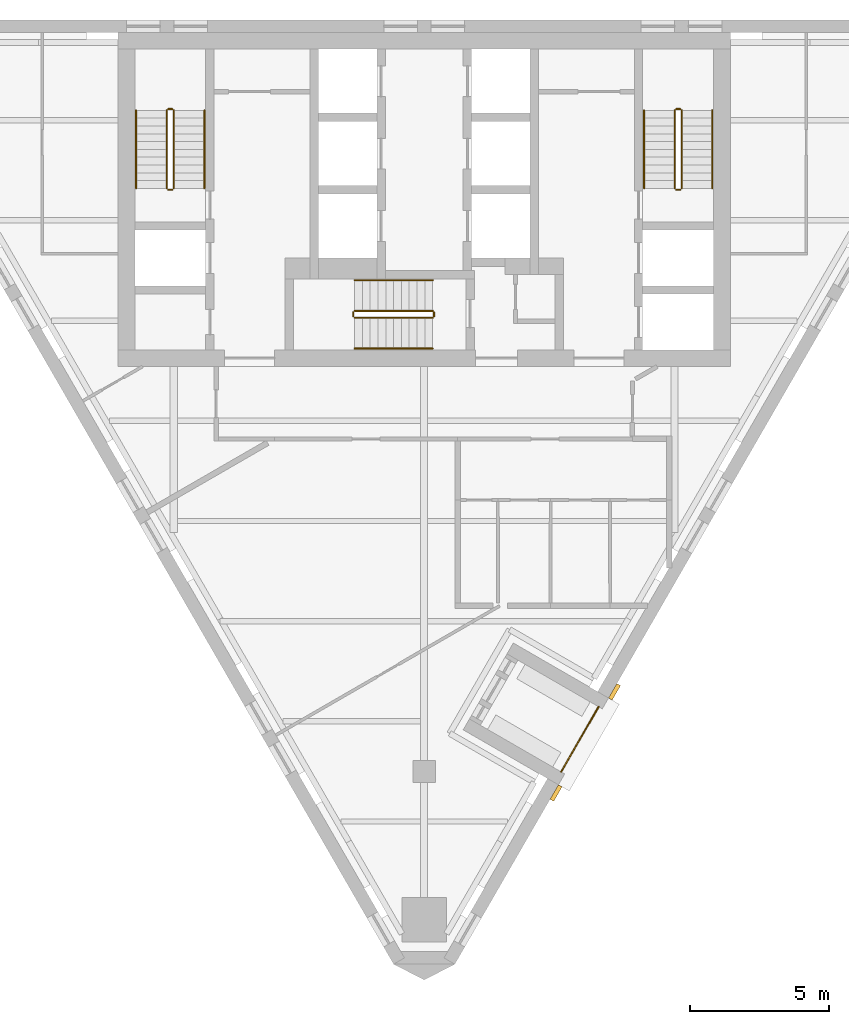
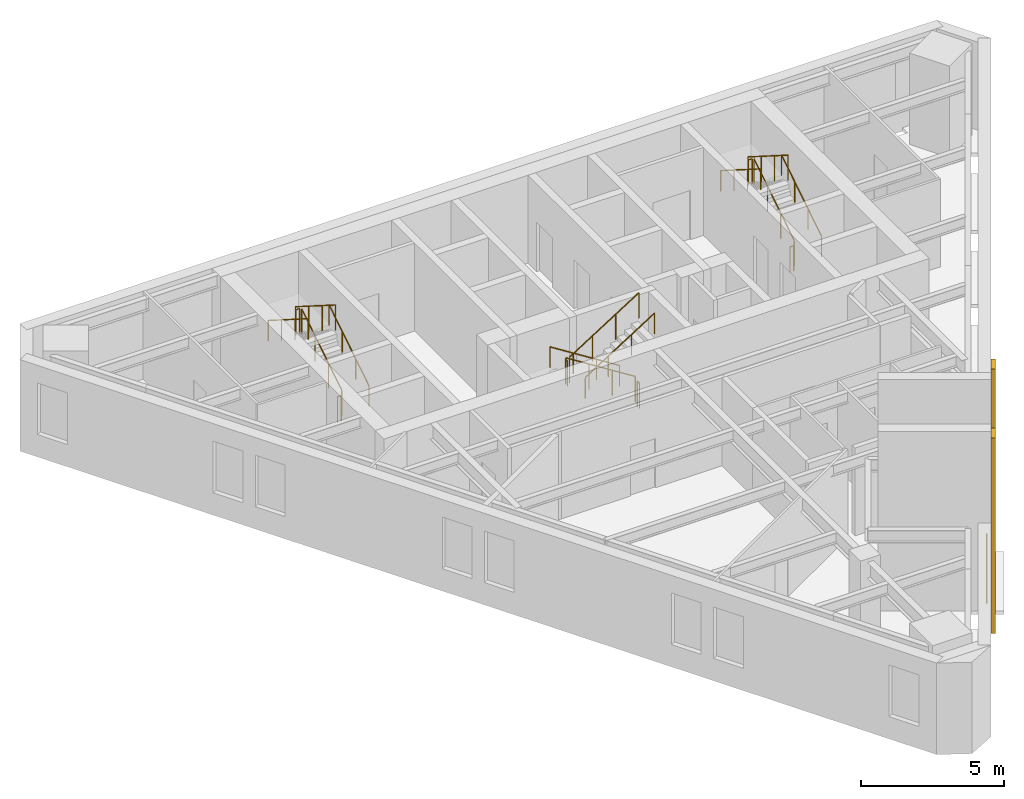
# One storey, part 6 of 6: 19 railings, 2 coverings.
"""IFC4 building model written with IfcOpenShell, lengths in metres."""

import ifcopenshell
import ifcopenshell.guid

model = None  # the IFC model being written
_history = None  # IfcOwnerHistory: only IFC2X3 demands one
_inside = {}  # id of a spatial element -> (the spatial element, [elements in it])
_under = {}  # id of a project, library or spatial element -> (it, [spatial elements below it])
_declared = {}  # id of a project -> (the project, [libraries it declares])
_typed = {}  # id of a type object -> (the type object, [elements of that type])
_made_of = {}  # id of a material, layer set ... -> (it, [elements and type objects made of it])


def new_model(schema):
    """Start an empty IFC model of exactly this schema.

    Asked for "IFC4X3", IfcOpenShell would pick the latest addendum, in which some entities
    have other attributes; the version numbers below select the first issue.
    IFC2X3 requires an IfcOwnerHistory on every rooted entity: one is made here for all.
    """
    global model, _history
    if schema == "IFC4X3":
        model = ifcopenshell.file(schema_version=(4, 3, 0, 0))
    else:
        model = ifcopenshell.file(schema=schema)
    _inside.clear()
    _under.clear()
    _declared.clear()
    _typed.clear()
    _made_of.clear()
    _history = None
    if model.schema == "IFC2X3":
        org = make("IfcOrganization", Name="unknown")
        user = make(
            "IfcPersonAndOrganization",
            ThePerson=make("IfcPerson", FamilyName="unknown"),
            TheOrganization=org,
        )
        app = make(
            "IfcApplication",
            ApplicationDeveloper=org,
            Version="unknown",
            ApplicationFullName="unknown",
            ApplicationIdentifier="unknown",
        )
        _history = make(
            "IfcOwnerHistory",
            OwningUser=user,
            OwningApplication=app,
            ChangeAction="ADDED",
            CreationDate=0,
        )
    return model


def make(cls, **values):
    """One entity of the class cls with the attributes given. An attribute that is None is left unset."""
    return model.create_entity(
        cls, **{name: value for name, value in values.items() if value is not None}
    )


def rooted(cls, **values):
    """An entity with a GlobalId (a new one), such as an element, a storey or a relation."""
    return make(cls, GlobalId=ifcopenshell.guid.new(), OwnerHistory=_history, **values)


def si_unit(unit_type, name, prefix=None):
    """IfcSIUnit, for example si_unit("LENGTHUNIT", "METRE", prefix="MILLI")."""
    return make("IfcSIUnit", UnitType=unit_type, Prefix=prefix, Name=name)


def assignment(units):
    """IfcUnitAssignment: the units of a project."""
    return None if units is None else make("IfcUnitAssignment", Units=units)


def point(xyz):
    """IfcCartesianPoint."""
    return None if xyz is None else make("IfcCartesianPoint", Coordinates=xyz)


def direction(xyz):
    """IfcDirection."""
    return None if xyz is None else make("IfcDirection", DirectionRatios=xyz)


def frame(location, z_axis=None, x_axis=None):
    """IfcAxis2Placement3D, a coordinate frame: its origin and axes. An axis left out is left unset."""
    return make(
        "IfcAxis2Placement3D",
        Location=point(location),
        Axis=direction(z_axis),
        RefDirection=direction(x_axis),
    )


def frame_2d(location, x_axis=None):
    """IfcAxis2Placement2D, a coordinate frame in the plane: its origin and x axis."""
    return make(
        "IfcAxis2Placement2D", Location=point(location), RefDirection=direction(x_axis)
    )


def origin():
    """The frame at (0, 0, 0) with its axes left unset."""
    return frame((0.0, 0.0, 0.0))


def origin_2d():
    """The frame at (0, 0) in the plane with its x axis left unset."""
    return frame_2d((0.0, 0.0))


def place(relative_to, where):
    """IfcLocalPlacement: puts the frame where relative to a parent placement (None: the world)."""
    return make(
        "IfcLocalPlacement", PlacementRelTo=relative_to, RelativePlacement=where
    )


def context(
    kind, dimensions, precision=None, world=None, true_north=None, identifier=None
):
    """IfcGeometricRepresentationContext, for example the 3D "Model" context."""
    return make(
        "IfcGeometricRepresentationContext",
        ContextIdentifier=identifier,
        ContextType=kind,
        CoordinateSpaceDimension=dimensions,
        Precision=precision,
        WorldCoordinateSystem=world,
        TrueNorth=true_north,
    )


def subcontext(parent, identifier, kind, view, scale=None):
    """IfcGeometricRepresentationSubContext, for example "Body" below "Model"."""
    return make(
        "IfcGeometricRepresentationSubContext",
        ContextIdentifier=identifier,
        ContextType=kind,
        ParentContext=parent,
        TargetScale=scale,
        TargetView=view,
    )


def project(units=None, contexts=None):
    """IfcProject with its units and contexts."""
    return rooted(
        "IfcProject",
        Name="project",
        RepresentationContexts=contexts,
        UnitsInContext=assignment(units),
    )


def spatial(cls, under=None, at=None, **own):
    """A site, building, storey or space (cls), placed at a placement, below another one or the project."""
    s = rooted(cls, ObjectPlacement=at, **own)
    if under is not None:
        _under.setdefault(under.id(), (under, []))[1].append(s)
    return s


def polyline(points):
    """IfcPolyline through the points."""
    return make("IfcPolyline", Points=[point(p) for p in points])


def profile(cls, at=None, kind="AREA", **sizes):
    """A parametric profile (cls). Its sizes go by their IFC names, for example OverallWidth=200.0."""
    return make(cls, ProfileType=kind, Position=at, **sizes)


def circle(**sizes):
    """IfcCircleProfileDef."""
    return profile("IfcCircleProfileDef", **sizes)


def outline(outer, holes=None, kind="AREA"):
    """IfcArbitraryClosedProfileDef: a profile drawn as a closed curve; with holes, ...WithVoids."""
    if holes is None:
        return make("IfcArbitraryClosedProfileDef", ProfileType=kind, OuterCurve=outer)
    return make(
        "IfcArbitraryProfileDefWithVoids",
        ProfileType=kind,
        OuterCurve=outer,
        InnerCurves=holes,
    )


def extrude(swept, where, along, depth):
    """IfcExtrudedAreaSolid: the profile swept, set in the frame where, extruded along a direction by depth."""
    return make(
        "IfcExtrudedAreaSolid",
        SweptArea=swept,
        Position=where,
        ExtrudedDirection=direction(along),
        Depth=depth,
    )


def shape(context_of_items, identifier, shape_type, items):
    """IfcShapeRepresentation: the items that make up one representation, for example the "Body"."""
    return make(
        "IfcShapeRepresentation",
        ContextOfItems=context_of_items,
        RepresentationIdentifier=identifier,
        RepresentationType=shape_type,
        Items=items,
    )


def material(Name=None, Category=None):
    """IfcMaterial."""
    return make("IfcMaterial", Name=Name, Category=Category)


def layer(
    of_material, thickness, ventilated=None, Name=None, Category=None, Priority=None
):
    """IfcMaterialLayer: one layer of a wall or slab, of a material (None: an air gap)."""
    return make(
        "IfcMaterialLayer",
        Material=of_material,
        LayerThickness=thickness,
        IsVentilated=ventilated,
        Name=Name,
        Category=Category,
        Priority=Priority,
    )


def layer_set(layers, Name=None):
    """IfcMaterialLayerSet."""
    return make("IfcMaterialLayerSet", MaterialLayers=layers, LayerSetName=Name)


def made_of(thing, what):
    """Note that an element or type object is made of a material, layer set ...; save() writes the relation."""
    if what is not None:
        _made_of.setdefault(what.id(), (what, []))[1].append(thing)
    return thing


def type_object(cls, material=None, **own):
    """A type object (cls), such as IfcWallType, which elements share."""
    return made_of(rooted(cls, **own), material)


def element(
    cls,
    number,
    at=None,
    inside=None,
    cuts=None,
    type_object=None,
    material=None,
    context=None,
    identifier="Body",
    shape_type=None,
    held_by="IfcProductDefinitionShape",
    body=None,
    shapes=None,
    **own,
):
    """One element of the class cls, such as IfcWall. Its Tag is "e" and its number.

    at: its placement. inside: the storey or other place that contains it. cuts: it is an
    opening in that element (IfcRelVoidsElement). A single representation is given by context,
    identifier, shape_type and body (its items); several are given by shapes. held_by: the class
    of the entity that holds the representations. save() writes the other relations.
    """
    e = rooted(cls, Tag="e%d" % number, ObjectPlacement=at, **own)
    if body is not None:
        shapes = [shape(context, identifier, shape_type, body)]
    if shapes is not None:
        e.Representation = make(held_by, Representations=shapes)
    if inside is not None:
        _inside.setdefault(inside.id(), (inside, []))[1].append(e)
    if cuts is not None:
        rooted(
            "IfcRelVoidsElement", RelatingBuildingElement=cuts, RelatedOpeningElement=e
        )
    if type_object is not None:
        _typed.setdefault(type_object.id(), (type_object, []))[1].append(e)
    return made_of(e, material)


def aggregate(whole, parts):
    """IfcRelAggregates: a whole, such as a stair, and the parts it consists of."""
    return rooted("IfcRelAggregates", RelatingObject=whole, RelatedObjects=parts)


def save(model, path):
    """Write the relations noted so far, then the file.

    IfcRelAggregates (storeys below a building ...), IfcRelContainedInSpatialStructure (elements
    in a storey), IfcRelDefinesByType, IfcRelAssociatesMaterial and IfcRelDeclares: one each for
    every whole, place, type object, material and project.
    """
    for whole, parts in _under.values():
        aggregate(whole, parts)
    for where, things in _inside.values():
        rooted(
            "IfcRelContainedInSpatialStructure",
            RelatedElements=things,
            RelatingStructure=where,
        )
    for kind, things in _typed.values():
        rooted("IfcRelDefinesByType", RelatedObjects=things, RelatingType=kind)
    for what, things in _made_of.values():
        rooted("IfcRelAssociatesMaterial", RelatedObjects=things, RelatingMaterial=what)
    for by, libraries in _declared.values():
        rooted("IfcRelDeclares", RelatingContext=by, RelatedDefinitions=libraries)
    model.write(path)


model = new_model("IFC4")

# Units and contexts
model_context = context("Model", 3, precision=1e-05, world=origin(), true_north=direction((0.0, 1.0)))
body_context = subcontext(model_context, "Body", "Model", "MODEL_VIEW")
ifc_project = project(units=[si_unit("LENGTHUNIT", "METRE"), si_unit("AREAUNIT", "SQUARE_METRE"), si_unit("VOLUMEUNIT", "CUBIC_METRE"), si_unit("PLANEANGLEUNIT", "RADIAN"), si_unit("MASSUNIT", "GRAM", prefix="KILO")], contexts=[model_context])

# Site, building, storey
site_placement = place(None, origin())
site = spatial("IfcSite", under=ifc_project, at=site_placement, CompositionType="ELEMENT")
building_placement = place(site_placement, origin())
building = spatial("IfcBuilding", under=site, at=building_placement, Name="Aloe Facet Convention Tower", CompositionType="ELEMENT")
storey_placement = place(building_placement, frame((0.0, 0.0, 273.800048828125)))
storey = spatial("IfcBuildingStorey", under=building, at=storey_placement, Name="L67", CompositionType="ELEMENT", Elevation=273.800048828125)

# Railings
ifc_material_1 = material(Name="Steel S355 balustrade", Category="steel")
railing_type_1 = type_object("IfcRailingType", Name="CR-RL-GUARD", PredefinedType="GUARDRAIL", material=ifc_material_1)
railing_1_placement = place(storey_placement, frame((71.0, 128.949951171875, 0.17724609375)))
element("IfcRailing", 1, at=railing_1_placement, inside=storey, type_object=railing_type_1, Name="L67 ST1 stair guard 1", PredefinedType="GUARDRAIL", context=body_context, shape_type="SweptSolid", body=[
    extrude(circle(Radius=0.02392578125, at=origin_2d()), frame((0.0, 0.0, 1.076171875), z_axis=(0.0, 0.844908973607, 0.534910110503), x_axis=(-1.0, 0.0, 0.0)), (0.0, 0.0, 1.0), 3.31396484375),
    extrude(circle(Radius=0.02099609375, at=origin_2d()), origin(), (0.0, 0.0, 1.0), 1.052001953125),
    extrude(circle(Radius=0.02099609375, at=origin_2d()), frame((0.0, 0.933349609375, 0.5908203125)), (0.0, 0.0, 1.0), 1.052001953125),
    extrude(circle(Radius=0.02099609375, at=origin_2d()), frame((0.0, 1.86669921875, 1.181884765625)), (0.0, 0.0, 1.0), 1.052001953125),
    extrude(circle(Radius=0.02099609375, at=origin_2d()), frame((0.0, 2.800048828125, 1.772705078125)), (0.0, 0.0, 1.0), 1.052001953125),
])
railing_2_placement = place(storey_placement, frame((70.949951171875, 131.800048828125, 1.949951171875)))
element("IfcRailing", 2, at=railing_2_placement, inside=storey, type_object=railing_type_1, Name="L67 ST1 stair guard 2", PredefinedType="GUARDRAIL", context=body_context, shape_type="SweptSolid", body=[
    extrude(circle(Radius=0.02392578125, at=origin_2d()), frame((0.0, 0.0, 1.076171875), z_axis=(-1.0, 0.0, 0.0), x_axis=(0.0, -1.0, 0.0)), (0.0, 0.0, 1.0), 0.14990234375),
    extrude(circle(Radius=0.02099609375, at=origin_2d()), origin(), (0.0, 0.0, 1.0), 1.052001953125),
    extrude(circle(Radius=0.02099609375, at=origin_2d()), frame((-0.14990234375, 0.0, 0.0)), (0.0, 0.0, 1.0), 1.052001953125),
])
railing_3_placement = place(storey_placement, frame((70.75, 131.75, 2.127197265625)))
element("IfcRailing", 3, at=railing_3_placement, inside=storey, type_object=railing_type_1, Name="L67 ST1 stair guard 3", PredefinedType="GUARDRAIL", context=body_context, shape_type="SweptSolid", body=[
    extrude(circle(Radius=0.02392578125, at=origin_2d()), frame((0.0, 0.0, 1.076171875), z_axis=(0.0, -0.844908973607, 0.534910110503), x_axis=(1.0, 0.0, 0.0)), (0.0, 0.0, 1.0), 3.31396484375),
    extrude(circle(Radius=0.02099609375, at=origin_2d()), origin(), (0.0, 0.0, 1.0), 1.052001953125),
    extrude(circle(Radius=0.02099609375, at=origin_2d()), frame((0.0, -0.933349609375, 0.5908203125)), (0.0, 0.0, 1.0), 1.052001953125),
    extrude(circle(Radius=0.02099609375, at=origin_2d()), frame((0.0, -1.86669921875, 1.181884765625)), (0.0, 0.0, 1.0), 1.052001953125),
    extrude(circle(Radius=0.02099609375, at=origin_2d()), frame((0.0, -2.800048828125, 1.772705078125)), (0.0, 0.0, 1.0), 1.052001953125),
])
railing_4_placement = place(storey_placement, frame((70.949951171875, 128.89990234375, 0.0)))
element("IfcRailing", 4, at=railing_4_placement, inside=storey, type_object=railing_type_1, Name="L67 ST1 stair guard 4", PredefinedType="GUARDRAIL", context=body_context, shape_type="SweptSolid", body=[
    extrude(circle(Radius=0.02392578125, at=origin_2d()), frame((0.0, 0.0, 1.076171875), z_axis=(-1.0, 0.0, 0.0), x_axis=(0.0, -1.0, 0.0)), (0.0, 0.0, 1.0), 0.14990234375),
    extrude(circle(Radius=0.02099609375, at=origin_2d()), origin(), (0.0, 0.0, 1.0), 1.052001953125),
    extrude(circle(Radius=0.02099609375, at=origin_2d()), frame((-0.14990234375, 0.0, 0.0)), (0.0, 0.0, 1.0), 1.052001953125),
])
railing_5_placement = place(storey_placement, frame((89.25, 128.949951171875, 0.17724609375)))
element("IfcRailing", 5, at=railing_5_placement, inside=storey, type_object=railing_type_1, Name="L67 ST2 stair guard 1", PredefinedType="GUARDRAIL", context=body_context, shape_type="SweptSolid", body=[
    extrude(circle(Radius=0.02392578125, at=origin_2d()), frame((0.0, 0.0, 1.076171875), z_axis=(0.0, 0.844908973607, 0.534910110503), x_axis=(-1.0, 0.0, 0.0)), (0.0, 0.0, 1.0), 3.31396484375),
    extrude(circle(Radius=0.02099609375, at=origin_2d()), origin(), (0.0, 0.0, 1.0), 1.052001953125),
    extrude(circle(Radius=0.02099609375, at=origin_2d()), frame((0.0, 0.933349609375, 0.5908203125)), (0.0, 0.0, 1.0), 1.052001953125),
    extrude(circle(Radius=0.02099609375, at=origin_2d()), frame((0.0, 1.86669921875, 1.181884765625)), (0.0, 0.0, 1.0), 1.052001953125),
    extrude(circle(Radius=0.02099609375, at=origin_2d()), frame((0.0, 2.800048828125, 1.772705078125)), (0.0, 0.0, 1.0), 1.052001953125),
])
railing_6_placement = place(storey_placement, frame((89.199951171875, 131.800048828125, 1.949951171875)))
element("IfcRailing", 6, at=railing_6_placement, inside=storey, type_object=railing_type_1, Name="L67 ST2 stair guard 2", PredefinedType="GUARDRAIL", context=body_context, shape_type="SweptSolid", body=[
    extrude(circle(Radius=0.02392578125, at=origin_2d()), frame((0.0, 0.0, 1.076171875), z_axis=(-1.0, 0.0, 0.0), x_axis=(0.0, -1.0, 0.0)), (0.0, 0.0, 1.0), 0.14990234375),
    extrude(circle(Radius=0.02099609375, at=origin_2d()), origin(), (0.0, 0.0, 1.0), 1.052001953125),
    extrude(circle(Radius=0.02099609375, at=origin_2d()), frame((-0.14990234375, 0.0, 0.0)), (0.0, 0.0, 1.0), 1.052001953125),
])
railing_7_placement = place(storey_placement, frame((89.0, 131.75, 2.127197265625)))
element("IfcRailing", 7, at=railing_7_placement, inside=storey, type_object=railing_type_1, Name="L67 ST2 stair guard 3", PredefinedType="GUARDRAIL", context=body_context, shape_type="SweptSolid", body=[
    extrude(circle(Radius=0.02392578125, at=origin_2d()), frame((0.0, 0.0, 1.076171875), z_axis=(0.0, -0.844908973607, 0.534910110503), x_axis=(1.0, 0.0, 0.0)), (0.0, 0.0, 1.0), 3.31396484375),
    extrude(circle(Radius=0.02099609375, at=origin_2d()), origin(), (0.0, 0.0, 1.0), 1.052001953125),
    extrude(circle(Radius=0.02099609375, at=origin_2d()), frame((0.0, -0.933349609375, 0.5908203125)), (0.0, 0.0, 1.0), 1.052001953125),
    extrude(circle(Radius=0.02099609375, at=origin_2d()), frame((0.0, -1.86669921875, 1.181884765625)), (0.0, 0.0, 1.0), 1.052001953125),
    extrude(circle(Radius=0.02099609375, at=origin_2d()), frame((0.0, -2.800048828125, 1.772705078125)), (0.0, 0.0, 1.0), 1.052001953125),
])
railing_8_placement = place(storey_placement, frame((89.199951171875, 128.89990234375, 0.0)))
element("IfcRailing", 8, at=railing_8_placement, inside=storey, type_object=railing_type_1, Name="L67 ST2 stair guard 4", PredefinedType="GUARDRAIL", context=body_context, shape_type="SweptSolid", body=[
    extrude(circle(Radius=0.02392578125, at=origin_2d()), frame((0.0, 0.0, 1.076171875), z_axis=(-1.0, 0.0, 0.0), x_axis=(0.0, -1.0, 0.0)), (0.0, 0.0, 1.0), 0.14990234375),
    extrude(circle(Radius=0.02099609375, at=origin_2d()), origin(), (0.0, 0.0, 1.0), 1.052001953125),
    extrude(circle(Radius=0.02099609375, at=origin_2d()), frame((-0.14990234375, 0.0, 0.0)), (0.0, 0.0, 1.0), 1.052001953125),
])
railing_9_placement = place(storey_placement, frame((80.300048828125, 124.550048828125, 0.17724609375)))
element("IfcRailing", 9, at=railing_9_placement, inside=storey, type_object=railing_type_1, Name="L67 ST3 stair guard 1", PredefinedType="GUARDRAIL", context=body_context, shape_type="SweptSolid", body=[
    extrude(circle(Radius=0.02392578125, at=origin_2d()), frame((0.0, 0.0, 1.076171875), z_axis=(-0.844908973607, 0.0, 0.534910110503), x_axis=(0.0, -1.0, 0.0)), (0.0, 0.0, 1.0), 3.31396484375),
    extrude(circle(Radius=0.02099609375, at=origin_2d()), origin(), (0.0, 0.0, 1.0), 1.052001953125),
    extrude(circle(Radius=0.02099609375, at=origin_2d()), frame((-0.933349609375, 0.0, 0.5908203125)), (0.0, 0.0, 1.0), 1.052001953125),
    extrude(circle(Radius=0.02099609375, at=origin_2d()), frame((-1.86669921875, 0.0, 1.181884765625)), (0.0, 0.0, 1.0), 1.052001953125),
    extrude(circle(Radius=0.02099609375, at=origin_2d()), frame((-2.800048828125, 0.0, 1.772705078125)), (0.0, 0.0, 1.0), 1.052001953125),
])
railing_10_placement = place(storey_placement, frame((77.449951171875, 124.5, 1.949951171875)))
element("IfcRailing", 10, at=railing_10_placement, inside=storey, type_object=railing_type_1, Name="L67 ST3 stair guard 2", PredefinedType="GUARDRAIL", context=body_context, shape_type="SweptSolid", body=[
    extrude(circle(Radius=0.02392578125, at=origin_2d()), frame((0.0, 0.0, 1.076171875), z_axis=(0.0, -1.0, 0.0), x_axis=(1.0, 0.0, 0.0)), (0.0, 0.0, 1.0), 0.14990234375),
    extrude(circle(Radius=0.02099609375, at=origin_2d()), origin(), (0.0, 0.0, 1.0), 1.052001953125),
    extrude(circle(Radius=0.02099609375, at=origin_2d()), frame((0.0, -0.14990234375, 0.0)), (0.0, 0.0, 1.0), 1.052001953125),
])
railing_11_placement = place(storey_placement, frame((77.5, 124.300048828125, 2.127197265625)))
element("IfcRailing", 11, at=railing_11_placement, inside=storey, type_object=railing_type_1, Name="L67 ST3 stair guard 3", PredefinedType="GUARDRAIL", context=body_context, shape_type="SweptSolid", body=[
    extrude(circle(Radius=0.02392578125, at=origin_2d()), frame((0.0, 0.0, 1.076171875), z_axis=(0.844908973607, 0.0, 0.534910110503), x_axis=(0.0, 1.0, 0.0)), (0.0, 0.0, 1.0), 3.31396484375),
    extrude(circle(Radius=0.02099609375, at=origin_2d()), origin(), (0.0, 0.0, 1.0), 1.052001953125),
    extrude(circle(Radius=0.02099609375, at=origin_2d()), frame((0.933349609375, 0.0, 0.5908203125)), (0.0, 0.0, 1.0), 1.052001953125),
    extrude(circle(Radius=0.02099609375, at=origin_2d()), frame((1.86669921875, 0.0, 1.181884765625)), (0.0, 0.0, 1.0), 1.052001953125),
    extrude(circle(Radius=0.02099609375, at=origin_2d()), frame((2.800048828125, 0.0, 1.772705078125)), (0.0, 0.0, 1.0), 1.052001953125),
])
railing_12_placement = place(storey_placement, frame((80.35009765625, 124.5, 0.0)))
element("IfcRailing", 12, at=railing_12_placement, inside=storey, type_object=railing_type_1, Name="L67 ST3 stair guard 4", PredefinedType="GUARDRAIL", context=body_context, shape_type="SweptSolid", body=[
    extrude(circle(Radius=0.02392578125, at=origin_2d()), frame((0.0, 0.0, 1.076171875), z_axis=(0.0, -1.0, 0.0), x_axis=(1.0, 0.0, 0.0)), (0.0, 0.0, 1.0), 0.14990234375),
    extrude(circle(Radius=0.02099609375, at=origin_2d()), origin(), (0.0, 0.0, 1.0), 1.052001953125),
    extrude(circle(Radius=0.02099609375, at=origin_2d()), frame((0.0, -0.14990234375, 0.0)), (0.0, 0.0, 1.0), 1.052001953125),
])
ifc_material_2 = material(Name="Steel S355 handrail", Category="steel")
railing_type_2 = type_object("IfcRailingType", Name="CR-RL-HAND", PredefinedType="HANDRAIL", material=ifc_material_2)
railing_13_placement = place(storey_placement, frame((72.10009765625, 128.949951171875, 0.17724609375)))
element("IfcRailing", 13, at=railing_13_placement, inside=storey, type_object=railing_type_2, Name="L67 ST1 stair handrail 1", PredefinedType="HANDRAIL", context=body_context, shape_type="SweptSolid", body=[
    extrude(circle(Radius=0.02392578125, at=origin_2d()), frame((0.0, 0.0, 0.8759765625), z_axis=(0.0, 0.844908973607, 0.534910110503), x_axis=(-1.0, 0.0, 0.0)), (0.0, 0.0, 1.0), 3.31396484375),
    extrude(circle(Radius=0.02099609375, at=origin_2d()), origin(), (0.0, 0.0, 1.0), 0.851806640625),
    extrude(circle(Radius=0.02099609375, at=origin_2d()), frame((0.0, 0.933349609375, 0.5908203125)), (0.0, 0.0, 1.0), 0.851806640625),
    extrude(circle(Radius=0.02099609375, at=origin_2d()), frame((0.0, 1.86669921875, 1.181884765625)), (0.0, 0.0, 1.0), 0.851806640625),
    extrude(circle(Radius=0.02099609375, at=origin_2d()), frame((0.0, 2.800048828125, 1.772705078125)), (0.0, 0.0, 1.0), 0.851806640625),
])
railing_14_placement = place(storey_placement, frame((69.64990234375, 131.75, 2.127197265625)))
element("IfcRailing", 14, at=railing_14_placement, inside=storey, type_object=railing_type_2, Name="L67 ST1 stair handrail 2", PredefinedType="HANDRAIL", context=body_context, shape_type="SweptSolid", body=[
    extrude(circle(Radius=0.02392578125, at=origin_2d()), frame((0.0, 0.0, 0.8759765625), z_axis=(0.0, -0.844908973607, 0.534910110503), x_axis=(1.0, 0.0, 0.0)), (0.0, 0.0, 1.0), 3.31396484375),
    extrude(circle(Radius=0.02099609375, at=origin_2d()), origin(), (0.0, 0.0, 1.0), 0.851806640625),
    extrude(circle(Radius=0.02099609375, at=origin_2d()), frame((0.0, -0.933349609375, 0.5908203125)), (0.0, 0.0, 1.0), 0.851806640625),
    extrude(circle(Radius=0.02099609375, at=origin_2d()), frame((0.0, -1.86669921875, 1.181884765625)), (0.0, 0.0, 1.0), 0.851806640625),
    extrude(circle(Radius=0.02099609375, at=origin_2d()), frame((0.0, -2.800048828125, 1.772705078125)), (0.0, 0.0, 1.0), 0.851806640625),
])
railing_15_placement = place(storey_placement, frame((90.35009765625, 128.949951171875, 0.17724609375)))
element("IfcRailing", 15, at=railing_15_placement, inside=storey, type_object=railing_type_2, Name="L67 ST2 stair handrail 1", PredefinedType="HANDRAIL", context=body_context, shape_type="SweptSolid", body=[
    extrude(circle(Radius=0.02392578125, at=origin_2d()), frame((0.0, 0.0, 0.8759765625), z_axis=(0.0, 0.844908973607, 0.534910110503), x_axis=(-1.0, 0.0, 0.0)), (0.0, 0.0, 1.0), 3.31396484375),
    extrude(circle(Radius=0.02099609375, at=origin_2d()), origin(), (0.0, 0.0, 1.0), 0.851806640625),
    extrude(circle(Radius=0.02099609375, at=origin_2d()), frame((0.0, 0.933349609375, 0.5908203125)), (0.0, 0.0, 1.0), 0.851806640625),
    extrude(circle(Radius=0.02099609375, at=origin_2d()), frame((0.0, 1.86669921875, 1.181884765625)), (0.0, 0.0, 1.0), 0.851806640625),
    extrude(circle(Radius=0.02099609375, at=origin_2d()), frame((0.0, 2.800048828125, 1.772705078125)), (0.0, 0.0, 1.0), 0.851806640625),
])
railing_16_placement = place(storey_placement, frame((87.89990234375, 131.75, 2.127197265625)))
element("IfcRailing", 16, at=railing_16_placement, inside=storey, type_object=railing_type_2, Name="L67 ST2 stair handrail 2", PredefinedType="HANDRAIL", context=body_context, shape_type="SweptSolid", body=[
    extrude(circle(Radius=0.02392578125, at=origin_2d()), frame((0.0, 0.0, 0.8759765625), z_axis=(0.0, -0.844908973607, 0.534910110503), x_axis=(1.0, 0.0, 0.0)), (0.0, 0.0, 1.0), 3.31396484375),
    extrude(circle(Radius=0.02099609375, at=origin_2d()), origin(), (0.0, 0.0, 1.0), 0.851806640625),
    extrude(circle(Radius=0.02099609375, at=origin_2d()), frame((0.0, -0.933349609375, 0.5908203125)), (0.0, 0.0, 1.0), 0.851806640625),
    extrude(circle(Radius=0.02099609375, at=origin_2d()), frame((0.0, -1.86669921875, 1.181884765625)), (0.0, 0.0, 1.0), 0.851806640625),
    extrude(circle(Radius=0.02099609375, at=origin_2d()), frame((0.0, -2.800048828125, 1.772705078125)), (0.0, 0.0, 1.0), 0.851806640625),
])
railing_17_placement = place(storey_placement, frame((80.300048828125, 125.64990234375, 0.17724609375)))
element("IfcRailing", 17, at=railing_17_placement, inside=storey, type_object=railing_type_2, Name="L67 ST3 stair handrail 1", PredefinedType="HANDRAIL", context=body_context, shape_type="SweptSolid", body=[
    extrude(circle(Radius=0.02392578125, at=origin_2d()), frame((0.0, 0.0, 0.8759765625), z_axis=(-0.844908973607, 0.0, 0.534910110503), x_axis=(0.0, -1.0, 0.0)), (0.0, 0.0, 1.0), 3.31396484375),
    extrude(circle(Radius=0.02099609375, at=origin_2d()), origin(), (0.0, 0.0, 1.0), 0.851806640625),
    extrude(circle(Radius=0.02099609375, at=origin_2d()), frame((-0.933349609375, 0.0, 0.5908203125)), (0.0, 0.0, 1.0), 0.851806640625),
    extrude(circle(Radius=0.02099609375, at=origin_2d()), frame((-1.86669921875, 0.0, 1.181884765625)), (0.0, 0.0, 1.0), 0.851806640625),
    extrude(circle(Radius=0.02099609375, at=origin_2d()), frame((-2.800048828125, 0.0, 1.772705078125)), (0.0, 0.0, 1.0), 0.851806640625),
])
railing_18_placement = place(storey_placement, frame((77.5, 123.199951171875, 2.127197265625)))
element("IfcRailing", 18, at=railing_18_placement, inside=storey, type_object=railing_type_2, Name="L67 ST3 stair handrail 2", PredefinedType="HANDRAIL", context=body_context, shape_type="SweptSolid", body=[
    extrude(circle(Radius=0.02392578125, at=origin_2d()), frame((0.0, 0.0, 0.8759765625), z_axis=(0.844908973607, 0.0, 0.534910110503), x_axis=(0.0, 1.0, 0.0)), (0.0, 0.0, 1.0), 3.31396484375),
    extrude(circle(Radius=0.02099609375, at=origin_2d()), origin(), (0.0, 0.0, 1.0), 0.851806640625),
    extrude(circle(Radius=0.02099609375, at=origin_2d()), frame((0.933349609375, 0.0, 0.5908203125)), (0.0, 0.0, 1.0), 0.851806640625),
    extrude(circle(Radius=0.02099609375, at=origin_2d()), frame((1.86669921875, 0.0, 1.181884765625)), (0.0, 0.0, 1.0), 0.851806640625),
    extrude(circle(Radius=0.02099609375, at=origin_2d()), frame((2.800048828125, 0.0, 1.772705078125)), (0.0, 0.0, 1.0), 0.851806640625),
])

# Coverings
ifc_material_3 = material(Name="Bronze oxide fascia sheet")
ifc_layer = layer(ifc_material_3, 0.14990234375)
ifc_layer_set = layer_set([ifc_layer], Name="EV-FASCIA-TERR")
covering_type = type_object("IfcCoveringType", Name="EV-FASCIA-TERR", PredefinedType="CLADDING", material=ifc_layer_set)
covering_1_placement = place(storey_placement, frame((0.0, 0.0, -0.550048828125)))
element("IfcCovering", 19, at=covering_1_placement, inside=storey, type_object=covering_type, Name="Terrace frame T15 1", PredefinedType="CLADDING", context=body_context, shape_type="SweptSolid", body=[
    extrude(outline(polyline([(84.6513671875, 106.927001953125), (84.951416015625, 107.44677734375), (84.821533203125, 107.521728515625), (84.521484375, 107.001953125), (84.6513671875, 106.927001953125)])), origin(), (0.0, 0.0, 1.0), 8.35009765625),
])
covering_2_placement = place(storey_placement, frame((0.0, 0.0, -0.550048828125)))
element("IfcCovering", 20, at=covering_2_placement, inside=storey, type_object=covering_type, Name="Terrace frame T15 2", PredefinedType="CLADDING", context=body_context, shape_type="SweptSolid", body=[
    extrude(outline(polyline([(86.75146484375, 110.564453125), (87.051513671875, 111.083984375), (86.921630859375, 111.158935546875), (86.62158203125, 110.639404296875), (86.75146484375, 110.564453125)])), origin(), (0.0, 0.0, 1.0), 8.35009765625),
])

# Railing
ifc_material_4 = material(Name="Steel S355, bronze oxide finish", Category="steel")
railing_type_3 = type_object("IfcRailingType", Name="EV-GUARD-TERR", PredefinedType="GUARDRAIL", material=ifc_material_4)
railing_19_placement = place(storey_placement, frame((84.916748046875, 107.986328125, 0.0)))
element("IfcRailing", 21, at=railing_19_placement, inside=storey, type_object=railing_type_3, Name="GUARD T15", PredefinedType="GUARDRAIL", context=body_context, shape_type="SweptSolid", body=[
    extrude(circle(Radius=0.02392578125, at=origin_2d()), frame((0.0, 0.0, 1.076171875), z_axis=(0.4999416173, 0.866059108428, 0.0), x_axis=(-0.866059108428, 0.4999416173, 0.0)), (0.0, 0.0, 1.0), 2.699951171875),
    extrude(circle(Radius=0.02099609375, at=origin_2d()), origin(), (0.0, 0.0, 1.0), 1.052001953125),
    extrude(circle(Radius=0.02099609375, at=origin_2d()), frame((0.449951171875, 0.779541015625, 0.0)), (0.0, 0.0, 1.0), 1.052001953125),
    extrude(circle(Radius=0.02099609375, at=origin_2d()), frame((0.89990234375, 1.558837890625, 0.0)), (0.0, 0.0, 1.0), 1.052001953125),
    extrude(circle(Radius=0.02099609375, at=origin_2d()), frame((1.349853515625, 2.33837890625, 0.0)), (0.0, 0.0, 1.0), 1.052001953125),
])

save(model, "model.ifc")
